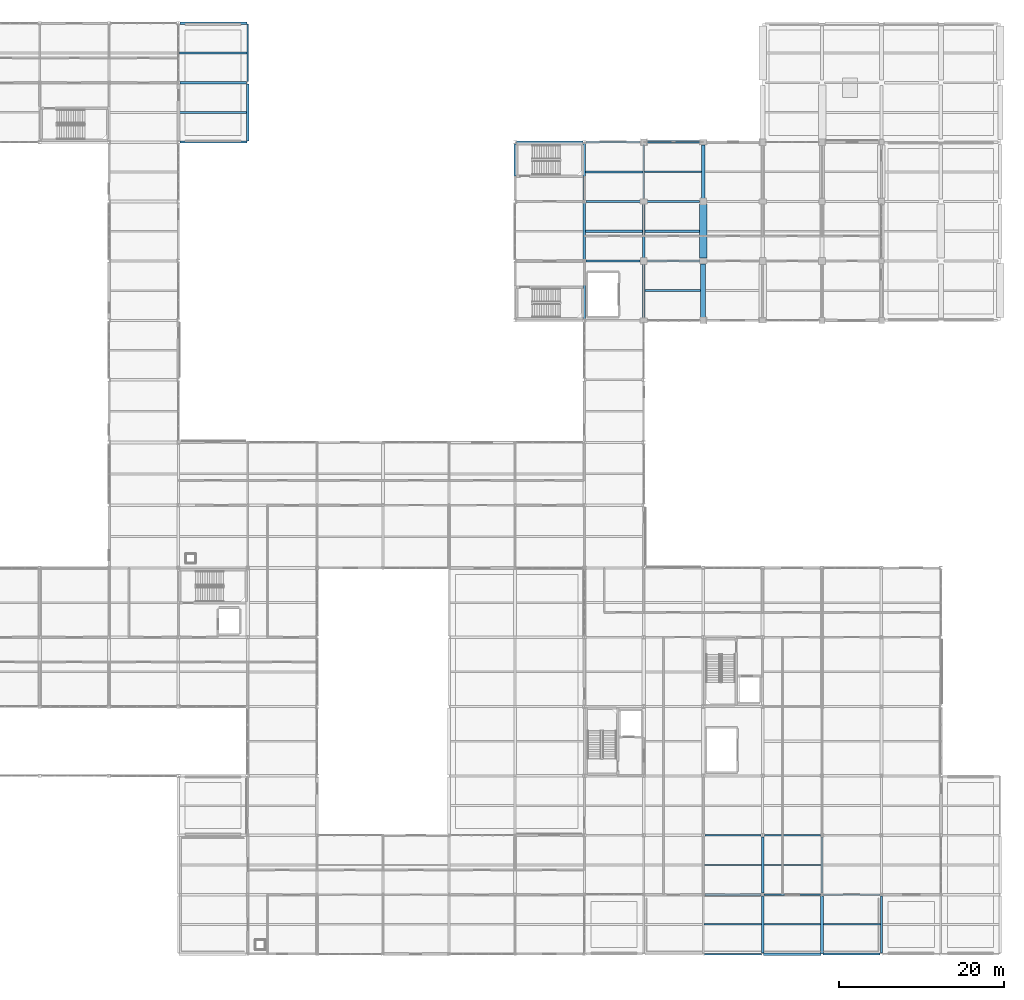
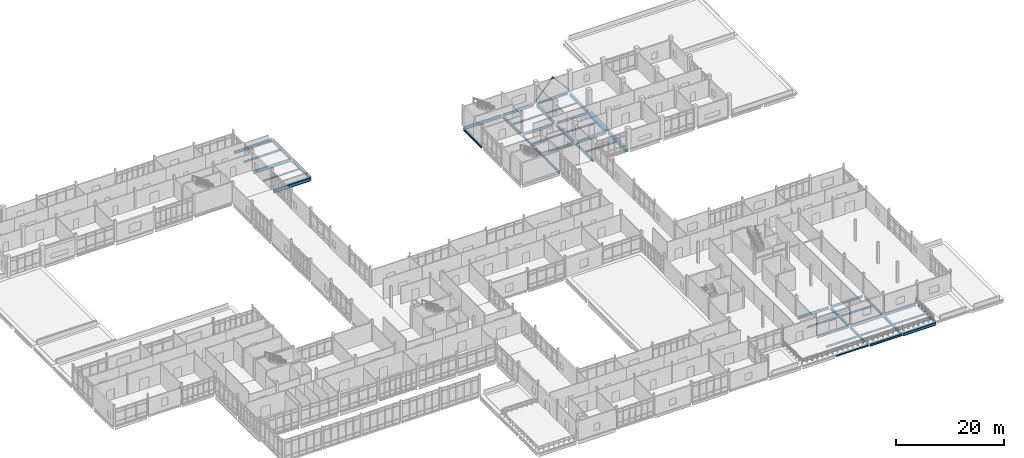
# One storey, part 100 of 186: 47 beams, 2 members.
"""IFC4 building model written with IfcOpenShell, lengths in metres."""

from ifc_helpers import new_model, si_unit, direction, frame, origin, origin_2d, place, context, subcontext, project, spatial, rectangle, hollow_rectangle, i_section, extrude, material, material_profile, profile_set, type_object, element, save


model = new_model("IFC4")

# Units and contexts
model_context = context("Model", 3, precision=1e-05, world=origin(), true_north=direction((0.0, 1.0)))
body_context = subcontext(model_context, "Body", "Model", "MODEL_VIEW")
ifc_project = project(units=[si_unit("LENGTHUNIT", "METRE"), si_unit("AREAUNIT", "SQUARE_METRE"), si_unit("VOLUMEUNIT", "CUBIC_METRE"), si_unit("PLANEANGLEUNIT", "RADIAN"), si_unit("MASSUNIT", "GRAM", prefix="KILO")], contexts=[model_context])

# Site, building, storey
site_placement = place(None, origin())
site = spatial("IfcSite", under=ifc_project, at=site_placement, CompositionType="ELEMENT")
building_placement = place(site_placement, origin())
building = spatial("IfcBuilding", under=site, at=building_placement, Name="Calvrana Isthmian Art Gallery", CompositionType="ELEMENT")
storey_placement = place(building_placement, frame((0.0, 0.0, 5.39990234375)))
storey = spatial("IfcBuildingStorey", under=building, at=storey_placement, Name="L01", CompositionType="ELEMENT", Elevation=5.39990234375)

# Beams
ifc_material_1 = material(Name="Steel ASTM A992 Gr 50", Category="steel")
ifc_material_profile_1 = material_profile(ifc_material_1, i_section(OverallWidth=0.279052734375, OverallDepth=0.4619140625, WebThickness=0.0107421875, FlangeThickness=0.017333984375, FilletRadius=0.02001953125, at=origin_2d()), Name="W18X76")
ifc_profile_set_1 = profile_set([ifc_material_profile_1], Name="Steel ASTM A992 Gr 50")
beam_type_1 = type_object("IfcBeamType", Name="BM-G-W18X76", PredefinedType="BEAM", material=ifc_profile_set_1)
beam_1_placement = place(storey_placement, frame((134.527099609375, 0.0, -0.475830078125), z_axis=(1.0, 0.0, 0.0), x_axis=(0.0, 1.0, 0.0)))
element("IfcBeam", 1, at=beam_1_placement, inside=storey, type_object=beam_type_1, Name="Girder X L01 18-19/A", PredefinedType="BEAM", context=body_context, shape_type="SweptSolid", body=[
    extrude(i_section(OverallWidth=0.279052734375, OverallDepth=0.4619140625, WebThickness=0.0107421875, FlangeThickness=0.017333984375, FilletRadius=0.02001953125, at=origin_2d()), origin(), (0.0, 0.0, 1.0), 6.97119140625),
])
beam_2_placement = place(storey_placement, frame((127.386474609375, 7.199951171875, -0.475830078125), z_axis=(1.0, 0.0, 0.0), x_axis=(0.0, 1.0, 0.0)))
element("IfcBeam", 2, at=beam_2_placement, inside=storey, type_object=beam_type_1, Name="Girder X L01 17-18/B", PredefinedType="BEAM", context=body_context, shape_type="SweptSolid", body=[
    extrude(i_section(OverallWidth=0.279052734375, OverallDepth=0.4619140625, WebThickness=0.0107421875, FlangeThickness=0.017333984375, FilletRadius=0.02001953125, at=origin_2d()), origin(), (0.0, 0.0, 1.0), 6.828125),
])
beam_3_placement = place(storey_placement, frame((112.998046875, 84.0, -0.535888671875), z_axis=(1.0, 0.0, 0.0), x_axis=(0.0, 1.0, 0.0)))
element("IfcBeam", 3, at=beam_3_placement, inside=storey, type_object=beam_type_1, Name="Girder X L01 15-16/L", PredefinedType="BEAM", context=body_context, shape_type="SweptSolid", body=[
    extrude(i_section(OverallWidth=0.279052734375, OverallDepth=0.4619140625, WebThickness=0.0107421875, FlangeThickness=0.017333984375, FilletRadius=0.02001953125, at=origin_2d()), origin(), (0.0, 0.0, 1.0), 6.552001953125),
])
beam_4_placement = place(storey_placement, frame((104.39990234375, 91.386474609375, -0.535888671875), z_axis=(0.0, 1.0, 0.0), x_axis=(-1.0, 0.0, 0.0)))
element("IfcBeam", 4, at=beam_4_placement, inside=storey, type_object=beam_type_1, Name="Girder Y L01 14/M-N", PredefinedType="BEAM", context=body_context, shape_type="SweptSolid", body=[
    extrude(i_section(OverallWidth=0.279052734375, OverallDepth=0.4619140625, WebThickness=0.0107421875, FlangeThickness=0.017333984375, FilletRadius=0.02001953125, at=origin_2d()), origin(), (0.0, 0.0, 1.0), 6.825439453125),
])
beam_5_placement = place(storey_placement, frame((112.800048828125, 84.1904296875, -0.535888671875), z_axis=(0.0, 1.0, 0.0), x_axis=(-1.0, 0.0, 0.0)))
element("IfcBeam", 5, at=beam_5_placement, inside=storey, type_object=beam_type_1, Name="Girder Y L01 15/L-M", PredefinedType="BEAM", context=body_context, shape_type="SweptSolid", body=[
    extrude(i_section(OverallWidth=0.279052734375, OverallDepth=0.4619140625, WebThickness=0.0107421875, FlangeThickness=0.017333984375, FilletRadius=0.02001953125, at=origin_2d()), origin(), (0.0, 0.0, 1.0), 6.816650390625),
])
beam_6_placement = place(storey_placement, frame((120.0, 77.175048828125, -0.535888671875), z_axis=(0.0, 1.0, 0.0), x_axis=(-1.0, 0.0, 0.0)))
element("IfcBeam", 6, at=beam_6_placement, inside=storey, type_object=beam_type_1, Name="Girder Y L01 16/K-L", PredefinedType="BEAM", context=body_context, shape_type="SweptSolid", body=[
    extrude(i_section(OverallWidth=0.279052734375, OverallDepth=0.4619140625, WebThickness=0.0107421875, FlangeThickness=0.017333984375, FilletRadius=0.02001953125, at=origin_2d()), origin(), (0.0, 0.0, 1.0), 6.52490234375),
])
beam_7_placement = place(storey_placement, frame((134.39990234375, 0.126953125, -0.475830078125), z_axis=(0.0, 1.0, 0.0), x_axis=(-1.0, 0.0, 0.0)))
element("IfcBeam", 7, at=beam_7_placement, inside=storey, type_object=beam_type_1, Name="Girder Y L01 18/A-B", PredefinedType="BEAM", context=body_context, shape_type="SweptSolid", body=[
    extrude(i_section(OverallWidth=0.279052734375, OverallDepth=0.4619140625, WebThickness=0.0107421875, FlangeThickness=0.017333984375, FilletRadius=0.02001953125, at=origin_2d()), origin(), (0.0, 0.0, 1.0), 6.8916015625),
])
ifc_material_profile_2 = material_profile(ifc_material_1, i_section(OverallWidth=0.208984375, OverallDepth=0.532958984375, WebThickness=0.01025390625, FlangeThickness=0.015625, FilletRadius=0.02099609375, at=origin_2d()), Name="W21X62")
ifc_profile_set_2 = profile_set([ifc_material_profile_2], Name="Steel ASTM A992 Gr 50")
beam_type_2 = type_object("IfcBeamType", Name="BM-G-W21X62", PredefinedType="BEAM", material=ifc_profile_set_2)
beam_8_placement = place(storey_placement, frame((112.800048828125, 76.988037109375, -0.5712890625), z_axis=(0.0, 1.0, 0.0), x_axis=(-1.0, 0.0, 0.0)))
element("IfcBeam", 8, at=beam_8_placement, inside=storey, type_object=beam_type_2, Name="Girder Y L01 15/K-L", PredefinedType="BEAM", context=body_context, shape_type="SweptSolid", body=[
    extrude(i_section(OverallWidth=0.208984375, OverallDepth=0.532958984375, WebThickness=0.01025390625, FlangeThickness=0.015625, FilletRadius=0.02099609375, at=origin_2d()), origin(), (0.0, 0.0, 1.0), 6.821533203125),
])
ifc_material_profile_3 = material_profile(ifc_material_1, i_section(OverallWidth=0.214111328125, OverallDepth=0.549072265625, WebThickness=0.0146484375, FlangeThickness=0.023681640625, FilletRadius=0.02099609375, at=origin_2d()), Name="W21X93")
ifc_profile_set_3 = profile_set([ifc_material_profile_3], Name="Steel ASTM A992 Gr 50")
beam_type_3 = type_object("IfcBeamType", Name="BM-G-W21X93", PredefinedType="BEAM", material=ifc_profile_set_3)
beam_9_placement = place(storey_placement, frame((141.783935546875, 7.199951171875, -0.519287109375), z_axis=(1.0, 0.0, 0.0), x_axis=(0.0, 1.0, 0.0)))
element("IfcBeam", 9, at=beam_9_placement, inside=storey, type_object=beam_type_3, Name="Girder X L01 19-20/B", PredefinedType="BEAM", context=body_context, shape_type="SweptSolid", body=[
    extrude(i_section(OverallWidth=0.214111328125, OverallDepth=0.549072265625, WebThickness=0.0146484375, FlangeThickness=0.023681640625, FilletRadius=0.02099609375, at=origin_2d()), origin(), (0.0, 0.0, 1.0), 6.82958984375),
])
beam_10_placement = place(storey_placement, frame((134.597900390625, 14.39990234375, -0.519287109375), z_axis=(1.0, 0.0, 0.0), x_axis=(0.0, 1.0, 0.0)))
element("IfcBeam", 10, at=beam_10_placement, inside=storey, type_object=beam_type_3, Name="Girder X L01 18-19/C", PredefinedType="BEAM", context=body_context, shape_type="SweptSolid", body=[
    extrude(i_section(OverallWidth=0.214111328125, OverallDepth=0.549072265625, WebThickness=0.0146484375, FlangeThickness=0.023681640625, FilletRadius=0.02099609375, at=origin_2d()), origin(), (0.0, 0.0, 1.0), 6.80517578125),
])
beam_11_placement = place(storey_placement, frame((120.375, 91.199951171875, -0.579345703125), z_axis=(1.0, 0.0, 0.0), x_axis=(0.0, 1.0, 0.0)))
element("IfcBeam", 11, at=beam_11_placement, inside=storey, type_object=beam_type_3, Name="Girder X L01 16-17/M", PredefinedType="BEAM", context=body_context, shape_type="SweptSolid", body=[
    extrude(i_section(OverallWidth=0.214111328125, OverallDepth=0.549072265625, WebThickness=0.0146484375, FlangeThickness=0.023681640625, FilletRadius=0.02099609375, at=origin_2d()), origin(), (0.0, 0.0, 1.0), 6.375),
])
beam_12_placement = place(storey_placement, frame((112.986572265625, 98.39990234375, -0.579345703125), z_axis=(1.0, 0.0, 0.0), x_axis=(0.0, 1.0, 0.0)))
element("IfcBeam", 12, at=beam_12_placement, inside=storey, type_object=beam_type_3, Name="Girder X L01 15-16/N", PredefinedType="BEAM", context=body_context, shape_type="SweptSolid", body=[
    extrude(i_section(OverallWidth=0.214111328125, OverallDepth=0.549072265625, WebThickness=0.0146484375, FlangeThickness=0.023681640625, FilletRadius=0.02099609375, at=origin_2d()), origin(), (0.0, 0.0, 1.0), 6.5634765625),
])
ifc_material_profile_4 = material_profile(ifc_material_1, i_section(OverallWidth=0.324951171875, OverallDepth=0.612060546875, WebThickness=0.0126953125, FlangeThickness=0.01904296875, FilletRadius=0.02197265625, at=origin_2d()), Name="W24X104")
ifc_profile_set_4 = profile_set([ifc_material_profile_4], Name="Steel ASTM A992 Gr 50")
beam_type_4 = type_object("IfcBeamType", Name="BM-G-W24X104", PredefinedType="BEAM", material=ifc_profile_set_4)
beam_13_placement = place(storey_placement, frame((72.0, 98.552490234375, -0.55078125), z_axis=(0.0, 1.0, 0.0), x_axis=(-1.0, 0.0, 0.0)))
element("IfcBeam", 13, at=beam_13_placement, inside=storey, type_object=beam_type_4, Name="Girder Y L01 10/N-O", PredefinedType="BEAM", context=body_context, shape_type="SweptSolid", body=[
    extrude(i_section(OverallWidth=0.324951171875, OverallDepth=0.612060546875, WebThickness=0.0126953125, FlangeThickness=0.01904296875, FilletRadius=0.02197265625, at=origin_2d()), origin(), (0.0, 0.0, 1.0), 6.89501953125),
])
beam_14_placement = place(storey_placement, frame((112.800048828125, 91.39306640625, -0.61083984375), z_axis=(0.0, 1.0, 0.0), x_axis=(-1.0, 0.0, 0.0)))
element("IfcBeam", 14, at=beam_14_placement, inside=storey, type_object=beam_type_4, Name="Girder Y L01 15/M-N", PredefinedType="BEAM", context=body_context, shape_type="SweptSolid", body=[
    extrude(i_section(OverallWidth=0.324951171875, OverallDepth=0.612060546875, WebThickness=0.0126953125, FlangeThickness=0.01904296875, FilletRadius=0.02197265625, at=origin_2d()), origin(), (0.0, 0.0, 1.0), 6.8203125),
])
beam_15_placement = place(storey_placement, frame((120.0, 84.300048828125, -0.61083984375), z_axis=(0.0, 1.0, 0.0), x_axis=(-1.0, 0.0, 0.0)))
element("IfcBeam", 15, at=beam_15_placement, inside=storey, type_object=beam_type_4, Name="Girder Y L01 16/L-M", PredefinedType="BEAM", context=body_context, shape_type="SweptSolid", body=[
    extrude(i_section(OverallWidth=0.324951171875, OverallDepth=0.612060546875, WebThickness=0.0126953125, FlangeThickness=0.01904296875, FilletRadius=0.02197265625, at=origin_2d()), origin(), (0.0, 0.0, 1.0), 6.52490234375),
])
beam_16_placement = place(storey_placement, frame((134.39990234375, 7.381591796875, -0.55078125), z_axis=(0.0, 1.0, 0.0), x_axis=(-1.0, 0.0, 0.0)))
element("IfcBeam", 16, at=beam_16_placement, inside=storey, type_object=beam_type_4, Name="Girder Y L01 18/B-C", PredefinedType="BEAM", context=body_context, shape_type="SweptSolid", body=[
    extrude(i_section(OverallWidth=0.324951171875, OverallDepth=0.612060546875, WebThickness=0.0126953125, FlangeThickness=0.01904296875, FilletRadius=0.02197265625, at=origin_2d()), origin(), (0.0, 0.0, 1.0), 6.827880859375),
])
beam_17_placement = place(storey_placement, frame((141.60009765625, 0.1015625, -0.55078125), z_axis=(0.0, 1.0, 0.0), x_axis=(-1.0, 0.0, 0.0)))
element("IfcBeam", 17, at=beam_17_placement, inside=storey, type_object=beam_type_4, Name="Girder Y L01 19/A-B", PredefinedType="BEAM", context=body_context, shape_type="SweptSolid", body=[
    extrude(i_section(OverallWidth=0.324951171875, OverallDepth=0.612060546875, WebThickness=0.0126953125, FlangeThickness=0.01904296875, FilletRadius=0.02197265625, at=origin_2d()), origin(), (0.0, 0.0, 1.0), 6.92041015625),
])
ifc_material_profile_5 = material_profile(ifc_material_1, i_section(OverallWidth=0.327880859375, OverallDepth=0.6220703125, WebThickness=0.015380859375, FlangeThickness=0.0244140625, FilletRadius=0.02197265625, at=origin_2d()), Name="W24X131")
ifc_profile_set_5 = profile_set([ifc_material_profile_5], Name="Steel ASTM A992 Gr 50")
beam_type_5 = type_object("IfcBeamType", Name="BM-G-W24X131", PredefinedType="BEAM", material=ifc_profile_set_5)
beam_18_placement = place(storey_placement, frame((63.783935546875, 112.800048828125, -0.555908203125), z_axis=(1.0, 0.0, 0.0), x_axis=(0.0, 1.0, 0.0)))
element("IfcBeam", 18, at=beam_18_placement, inside=storey, type_object=beam_type_5, Name="Girder X L01 09-10/P", PredefinedType="BEAM", context=body_context, shape_type="SweptSolid", body=[
    extrude(i_section(OverallWidth=0.327880859375, OverallDepth=0.6220703125, WebThickness=0.015380859375, FlangeThickness=0.0244140625, FilletRadius=0.02197265625, at=origin_2d()), origin(), (0.0, 0.0, 1.0), 8.114501953125),
])
ifc_material_profile_6 = material_profile(ifc_material_1, i_section(OverallWidth=0.22802734375, OverallDepth=0.60693359375, WebThickness=0.01123046875, FlangeThickness=0.017333984375, FilletRadius=0.02197265625, at=origin_2d()), Name="W24X76")
ifc_profile_set_6 = profile_set([ifc_material_profile_6], Name="Steel ASTM A992 Gr 50")
beam_type_6 = type_object("IfcBeamType", Name="BM-G-W24X76", PredefinedType="BEAM", material=ifc_profile_set_6)
beam_19_placement = place(storey_placement, frame((141.70166015625, 0.0, -0.54833984375), z_axis=(1.0, 0.0, 0.0), x_axis=(0.0, 1.0, 0.0)))
element("IfcBeam", 19, at=beam_19_placement, inside=storey, type_object=beam_type_6, Name="Girder X L01 19-20/A", PredefinedType="BEAM", context=body_context, shape_type="SweptSolid", body=[
    extrude(i_section(OverallWidth=0.22802734375, OverallDepth=0.60693359375, WebThickness=0.01123046875, FlangeThickness=0.017333984375, FilletRadius=0.02197265625, at=origin_2d()), origin(), (0.0, 0.0, 1.0), 6.946044921875),
])
beam_20_placement = place(storey_placement, frame((134.58544921875, 7.199951171875, -0.54833984375), z_axis=(1.0, 0.0, 0.0), x_axis=(0.0, 1.0, 0.0)))
element("IfcBeam", 20, at=beam_20_placement, inside=storey, type_object=beam_type_6, Name="Girder X L01 18-19/B", PredefinedType="BEAM", context=body_context, shape_type="SweptSolid", body=[
    extrude(i_section(OverallWidth=0.22802734375, OverallDepth=0.60693359375, WebThickness=0.01123046875, FlangeThickness=0.017333984375, FilletRadius=0.02197265625, at=origin_2d()), origin(), (0.0, 0.0, 1.0), 6.83056640625),
])
beam_21_placement = place(storey_placement, frame((127.3994140625, 14.39990234375, -0.54833984375), z_axis=(1.0, 0.0, 0.0), x_axis=(0.0, 1.0, 0.0)))
element("IfcBeam", 21, at=beam_21_placement, inside=storey, type_object=beam_type_6, Name="Girder X L01 17-18/C", PredefinedType="BEAM", context=body_context, shape_type="SweptSolid", body=[
    extrude(i_section(OverallWidth=0.22802734375, OverallDepth=0.60693359375, WebThickness=0.01123046875, FlangeThickness=0.017333984375, FilletRadius=0.02197265625, at=origin_2d()), origin(), (0.0, 0.0, 1.0), 6.802490234375),
])
beam_22_placement = place(storey_placement, frame((120.449951171875, 84.0, -0.6083984375), z_axis=(1.0, 0.0, 0.0), x_axis=(0.0, 1.0, 0.0)))
element("IfcBeam", 22, at=beam_22_placement, inside=storey, type_object=beam_type_6, Name="Girder X L01 16-17/L", PredefinedType="BEAM", context=body_context, shape_type="SweptSolid", body=[
    extrude(i_section(OverallWidth=0.22802734375, OverallDepth=0.60693359375, WebThickness=0.01123046875, FlangeThickness=0.017333984375, FilletRadius=0.02197265625, at=origin_2d()), origin(), (0.0, 0.0, 1.0), 6.375),
])
beam_23_placement = place(storey_placement, frame((112.99951171875, 91.199951171875, -0.6083984375), z_axis=(1.0, 0.0, 0.0), x_axis=(0.0, 1.0, 0.0)))
element("IfcBeam", 23, at=beam_23_placement, inside=storey, type_object=beam_type_6, Name="Girder X L01 15-16/M", PredefinedType="BEAM", context=body_context, shape_type="SweptSolid", body=[
    extrude(i_section(OverallWidth=0.22802734375, OverallDepth=0.60693359375, WebThickness=0.01123046875, FlangeThickness=0.017333984375, FilletRadius=0.02197265625, at=origin_2d()), origin(), (0.0, 0.0, 1.0), 6.62548828125),
])
beam_24_placement = place(storey_placement, frame((72.0, 105.75244140625, -0.54833984375), z_axis=(0.0, 1.0, 0.0), x_axis=(-1.0, 0.0, 0.0)))
element("IfcBeam", 24, at=beam_24_placement, inside=storey, type_object=beam_type_6, Name="Girder Y L01 10/O-P", PredefinedType="BEAM", context=body_context, shape_type="SweptSolid", body=[
    extrude(i_section(OverallWidth=0.22802734375, OverallDepth=0.60693359375, WebThickness=0.01123046875, FlangeThickness=0.017333984375, FilletRadius=0.02197265625, at=origin_2d()), origin(), (0.0, 0.0, 1.0), 6.946044921875),
])
beam_25_placement = place(storey_placement, frame((120.0, 91.574951171875, -0.6083984375), z_axis=(0.0, 1.0, 0.0), x_axis=(-1.0, 0.0, 0.0)))
element("IfcBeam", 25, at=beam_25_placement, inside=storey, type_object=beam_type_6, Name="Girder Y L01 16/M-N", PredefinedType="BEAM", context=body_context, shape_type="SweptSolid", body=[
    extrude(i_section(OverallWidth=0.22802734375, OverallDepth=0.60693359375, WebThickness=0.01123046875, FlangeThickness=0.017333984375, FilletRadius=0.02197265625, at=origin_2d()), origin(), (0.0, 0.0, 1.0), 6.525146484375),
])
beam_26_placement = place(storey_placement, frame((141.60009765625, 7.3779296875, -0.54833984375), z_axis=(0.0, 1.0, 0.0), x_axis=(-1.0, 0.0, 0.0)))
element("IfcBeam", 26, at=beam_26_placement, inside=storey, type_object=beam_type_6, Name="Girder Y L01 19/B-C", PredefinedType="BEAM", context=body_context, shape_type="SweptSolid", body=[
    extrude(i_section(OverallWidth=0.22802734375, OverallDepth=0.60693359375, WebThickness=0.01123046875, FlangeThickness=0.017333984375, FilletRadius=0.02197265625, at=origin_2d()), origin(), (0.0, 0.0, 1.0), 6.833984375),
])
beam_27_placement = place(storey_placement, frame((148.800048828125, 0.15234375, -0.54833984375), z_axis=(0.0, 1.0, 0.0), x_axis=(-1.0, 0.0, 0.0)))
element("IfcBeam", 27, at=beam_27_placement, inside=storey, type_object=beam_type_6, Name="Girder Y L01 20/A-B", PredefinedType="BEAM", context=body_context, shape_type="SweptSolid", body=[
    extrude(i_section(OverallWidth=0.22802734375, OverallDepth=0.60693359375, WebThickness=0.01123046875, FlangeThickness=0.017333984375, FilletRadius=0.02197265625, at=origin_2d()), origin(), (0.0, 0.0, 1.0), 6.861083984375),
])
ifc_material_profile_7 = material_profile(ifc_material_1, i_section(OverallWidth=0.257080078125, OverallDepth=0.693115234375, WebThickness=0.014404296875, FlangeThickness=0.023681640625, FilletRadius=0.02392578125, at=origin_2d()), Name="W27X114")
ifc_profile_set_7 = profile_set([ifc_material_profile_7], Name="Steel ASTM A992 Gr 50")
beam_type_7 = type_object("IfcBeamType", Name="BM-G-W27X114", PredefinedType="BEAM", material=ifc_profile_set_7)
beam_28_placement = place(storey_placement, frame((104.596923828125, 98.39990234375, -0.6513671875), z_axis=(1.0, 0.0, 0.0), x_axis=(0.0, 1.0, 0.0)))
element("IfcBeam", 28, at=beam_28_placement, inside=storey, type_object=beam_type_7, Name="Girder X L01 14-15/N", PredefinedType="BEAM", context=body_context, shape_type="SweptSolid", body=[
    extrude(i_section(OverallWidth=0.257080078125, OverallDepth=0.693115234375, WebThickness=0.014404296875, FlangeThickness=0.023681640625, FilletRadius=0.02392578125, at=origin_2d()), origin(), (0.0, 0.0, 1.0), 8.0166015625),
])
beam_29_placement = place(storey_placement, frame((63.78662109375, 105.60009765625, -0.59130859375), z_axis=(1.0, 0.0, 0.0), x_axis=(0.0, 1.0, 0.0)))
element("IfcBeam", 29, at=beam_29_placement, inside=storey, type_object=beam_type_7, Name="Girder X L01 09-10/O", PredefinedType="BEAM", context=body_context, shape_type="SweptSolid", body=[
    extrude(i_section(OverallWidth=0.257080078125, OverallDepth=0.693115234375, WebThickness=0.014404296875, FlangeThickness=0.023681640625, FilletRadius=0.02392578125, at=origin_2d()), origin(), (0.0, 0.0, 1.0), 8.06103515625),
])
ifc_material_profile_8 = material_profile(ifc_material_1, i_section(OverallWidth=0.26708984375, OverallDepth=0.761962890625, WebThickness=0.014404296875, FlangeThickness=0.021484375, FilletRadius=0.02490234375, at=origin_2d()), Name="W30X116")
ifc_profile_set_8 = profile_set([ifc_material_profile_8], Name="Steel ASTM A992 Gr 50")
beam_type_8 = type_object("IfcBeamType", Name="BM-G-W30X116", PredefinedType="BEAM", material=ifc_profile_set_8)
beam_30_placement = place(storey_placement, frame((63.78662109375, 98.39990234375, -0.6259765625), z_axis=(1.0, 0.0, 0.0), x_axis=(0.0, 1.0, 0.0)))
element("IfcBeam", 30, at=beam_30_placement, inside=storey, type_object=beam_type_8, Name="Girder X L01 09-10/N", PredefinedType="BEAM", context=body_context, shape_type="SweptSolid", body=[
    extrude(i_section(OverallWidth=0.26708984375, OverallDepth=0.761962890625, WebThickness=0.014404296875, FlangeThickness=0.021484375, FilletRadius=0.02490234375, at=origin_2d()), origin(), (0.0, 0.0, 1.0), 8.11181640625),
])
ifc_material_profile_9 = material_profile(ifc_material_1, i_section(OverallWidth=0.202880859375, OverallDepth=0.302001953125, WebThickness=0.007568359375, FlangeThickness=0.01318359375, FilletRadius=0.01611328125, at=origin_2d()), Name="W12X40")
ifc_profile_set_9 = profile_set([ifc_material_profile_9], Name="Steel ASTM A992 Gr 50")
beam_type_9 = type_object("IfcBeamType", Name="BM-J-W12X40", PredefinedType="JOIST", material=ifc_profile_set_9)
beam_31_placement = place(storey_placement, frame((63.739501953125, 102.0, -0.39599609375), z_axis=(1.0, 0.0, 0.0), x_axis=(0.0, 1.0, 0.0)))
element("IfcBeam", 31, at=beam_31_placement, inside=storey, type_object=beam_type_9, Name="Composite joist L01 bay 08-13", PredefinedType="JOIST", context=body_context, shape_type="SweptSolid", body=[
    extrude(i_section(OverallWidth=0.202880859375, OverallDepth=0.302001953125, WebThickness=0.007568359375, FlangeThickness=0.01318359375, FilletRadius=0.01611328125, at=origin_2d()), origin(), (0.0, 0.0, 1.0), 8.097900390625),
])
beam_32_placement = place(storey_placement, frame((120.114013671875, 94.800048828125, -0.455810546875), z_axis=(1.0, 0.0, 0.0), x_axis=(0.0, 1.0, 0.0)))
element("IfcBeam", 32, at=beam_32_placement, inside=storey, type_object=beam_type_9, Name="Composite joist L01 bay 15-12", PredefinedType="JOIST", context=body_context, shape_type="SweptSolid", body=[
    extrude(i_section(OverallWidth=0.202880859375, OverallDepth=0.302001953125, WebThickness=0.007568359375, FlangeThickness=0.01318359375, FilletRadius=0.01611328125, at=origin_2d()), origin(), (0.0, 0.0, 1.0), 6.885986328125),
])
ifc_material_profile_10 = material_profile(ifc_material_1, i_section(OverallWidth=0.25390625, OverallDepth=0.306884765625, WebThickness=0.0087890625, FlangeThickness=0.0146484375, FilletRadius=0.01611328125, at=origin_2d()), Name="W12X53")
ifc_profile_set_10 = profile_set([ifc_material_profile_10], Name="Steel ASTM A992 Gr 50")
beam_type_10 = type_object("IfcBeamType", Name="BM-J-W12X53", PredefinedType="JOIST", material=ifc_profile_set_10)
beam_33_placement = place(storey_placement, frame((112.96240234375, 94.800048828125, -0.45849609375), z_axis=(1.0, 0.0, 0.0), x_axis=(0.0, 1.0, 0.0)))
element("IfcBeam", 33, at=beam_33_placement, inside=storey, type_object=beam_type_10, Name="Composite joist L01 bay 14-12", PredefinedType="JOIST", context=body_context, shape_type="SweptSolid", body=[
    extrude(i_section(OverallWidth=0.25390625, OverallDepth=0.306884765625, WebThickness=0.0087890625, FlangeThickness=0.0146484375, FilletRadius=0.01611328125, at=origin_2d()), origin(), (0.0, 0.0, 1.0), 6.923583984375),
])
beam_34_placement = place(storey_placement, frame((120.16259765625, 87.60009765625, -0.45849609375), z_axis=(1.0, 0.0, 0.0), x_axis=(0.0, 1.0, 0.0)))
element("IfcBeam", 34, at=beam_34_placement, inside=storey, type_object=beam_type_10, Name="Composite joist L01 bay 15-11", PredefinedType="JOIST", context=body_context, shape_type="SweptSolid", body=[
    extrude(i_section(OverallWidth=0.25390625, OverallDepth=0.306884765625, WebThickness=0.0087890625, FlangeThickness=0.0146484375, FilletRadius=0.01611328125, at=origin_2d()), origin(), (0.0, 0.0, 1.0), 6.58740234375),
])
ifc_material_profile_11 = material_profile(ifc_material_1, i_section(OverallWidth=0.25390625, OverallDepth=0.35302734375, WebThickness=0.009521484375, FlangeThickness=0.016357421875, FilletRadius=0.01806640625, at=origin_2d()), Name="W14X61")
ifc_profile_set_11 = profile_set([ifc_material_profile_11], Name="Steel ASTM A992 Gr 50")
beam_type_11 = type_object("IfcBeamType", Name="BM-J-W14X61", PredefinedType="JOIST", material=ifc_profile_set_11)
beam_35_placement = place(storey_placement, frame((112.939453125, 87.60009765625, -0.4814453125), z_axis=(1.0, 0.0, 0.0), x_axis=(0.0, 1.0, 0.0)))
element("IfcBeam", 35, at=beam_35_placement, inside=storey, type_object=beam_type_11, Name="Composite joist L01 bay 14-11", PredefinedType="JOIST", context=body_context, shape_type="SweptSolid", body=[
    extrude(i_section(OverallWidth=0.25390625, OverallDepth=0.35302734375, WebThickness=0.009521484375, FlangeThickness=0.016357421875, FilletRadius=0.01806640625, at=origin_2d()), origin(), (0.0, 0.0, 1.0), 6.89794921875),
])
beam_36_placement = place(storey_placement, frame((120.139404296875, 80.39990234375, -0.4814453125), z_axis=(1.0, 0.0, 0.0), x_axis=(0.0, 1.0, 0.0)))
element("IfcBeam", 36, at=beam_36_placement, inside=storey, type_object=beam_type_11, Name="Composite joist L01 bay 15-10", PredefinedType="JOIST", context=body_context, shape_type="SweptSolid", body=[
    extrude(i_section(OverallWidth=0.25390625, OverallDepth=0.35302734375, WebThickness=0.009521484375, FlangeThickness=0.016357421875, FilletRadius=0.01806640625, at=origin_2d()), origin(), (0.0, 0.0, 1.0), 6.760498046875),
])
ifc_material_profile_12 = material_profile(ifc_material_1, i_section(OverallWidth=0.177978515625, OverallDepth=0.404052734375, WebThickness=0.007568359375, FlangeThickness=0.010986328125, FilletRadius=0.01806640625, at=origin_2d()), Name="W16X36")
ifc_profile_set_12 = profile_set([ifc_material_profile_12], Name="Steel ASTM A992 Gr 50")
beam_type_12 = type_object("IfcBeamType", Name="BM-J-W16X36", PredefinedType="JOIST", material=ifc_profile_set_12)
for number, where, z_axis, x_axis, name in (
    (37, (134.5625, 10.800048828125, -0.447021484375), (1.0, 0.0, 0.0), (0.0, 1.0, 0.0), "Composite joist L01 bay 17-01"),
    (38, (141.762451171875, 3.60009765625, -0.447021484375), (1.0, 0.0, 0.0), (0.0, 1.0, 0.0), "Composite joist L01 bay 18-00"),
):
    element("IfcBeam", number, at=place(storey_placement, frame(where, z_axis=z_axis, x_axis=x_axis)), inside=storey, type_object=beam_type_12, Name=name, PredefinedType="JOIST", context=body_context, shape_type="SweptSolid", body=[
        extrude(i_section(OverallWidth=0.177978515625, OverallDepth=0.404052734375, WebThickness=0.007568359375, FlangeThickness=0.010986328125, FilletRadius=0.01806640625, at=origin_2d()), origin(), (0.0, 0.0, 1.0), 6.923583984375),
    ])
ifc_material_profile_13 = material_profile(ifc_material_1, i_section(OverallWidth=0.179931640625, OverallDepth=0.4140625, WebThickness=0.009765625, FlangeThickness=0.01611328125, FilletRadius=0.01806640625, at=origin_2d()), Name="W16X50")
ifc_profile_set_13 = profile_set([ifc_material_profile_13], Name="Steel ASTM A992 Gr 50")
beam_type_13 = type_object("IfcBeamType", Name="BM-J-W16X50", PredefinedType="JOIST", material=ifc_profile_set_13)
for number, where, z_axis, x_axis, name in (
    (39, (127.339599609375, 10.800048828125, -0.451904296875), (1.0, 0.0, 0.0), (0.0, 1.0, 0.0), "Composite joist L01 bay 16-01"),
    (40, (134.53955078125, 3.60009765625, -0.451904296875), (1.0, 0.0, 0.0), (0.0, 1.0, 0.0), "Composite joist L01 bay 17-00"),
):
    element("IfcBeam", number, at=place(storey_placement, frame(where, z_axis=z_axis, x_axis=x_axis)), inside=storey, type_object=beam_type_13, Name=name, PredefinedType="JOIST", context=body_context, shape_type="SweptSolid", body=[
        extrude(i_section(OverallWidth=0.179931640625, OverallDepth=0.4140625, WebThickness=0.009765625, FlangeThickness=0.01611328125, FilletRadius=0.01806640625, at=origin_2d()), origin(), (0.0, 0.0, 1.0), 6.89794921875),
    ])
ifc_material_profile_14 = material_profile(ifc_material_1, i_section(OverallWidth=0.19091796875, OverallDepth=0.45703125, WebThickness=0.009033203125, FlangeThickness=0.014404296875, FilletRadius=0.02001953125, at=origin_2d()), Name="W18X50")
ifc_profile_set_14 = profile_set([ifc_material_profile_14], Name="Steel ASTM A992 Gr 50")
beam_type_14 = type_object("IfcBeamType", Name="BM-J-W18X50", PredefinedType="JOIST", material=ifc_profile_set_14)
beam_37_placement = place(storey_placement, frame((63.762451171875, 109.199951171875, -0.473388671875), z_axis=(1.0, 0.0, 0.0), x_axis=(0.0, 1.0, 0.0)))
element("IfcBeam", 41, at=beam_37_placement, inside=storey, type_object=beam_type_14, Name="Composite joist L01 bay 08-14", PredefinedType="JOIST", context=body_context, shape_type="SweptSolid", body=[
    extrude(i_section(OverallWidth=0.19091796875, OverallDepth=0.45703125, WebThickness=0.009033203125, FlangeThickness=0.014404296875, FilletRadius=0.02001953125, at=origin_2d()), origin(), (0.0, 0.0, 1.0), 8.12353515625),
])
beam_38_placement = place(storey_placement, frame((127.304443359375, 3.60009765625, -0.473388671875), z_axis=(1.0, 0.0, 0.0), x_axis=(0.0, 1.0, 0.0)))
element("IfcBeam", 42, at=beam_38_placement, inside=storey, type_object=beam_type_14, Name="Composite joist L01 bay 16-00", PredefinedType="JOIST", context=body_context, shape_type="SweptSolid", body=[
    extrude(i_section(OverallWidth=0.19091796875, OverallDepth=0.45703125, WebThickness=0.009033203125, FlangeThickness=0.014404296875, FilletRadius=0.02001953125, at=origin_2d()), origin(), (0.0, 0.0, 1.0), 6.9560546875),
])
ifc_material_2 = material(Name="Concrete C40/50", Category="concrete")
ifc_material_profile_15 = material_profile(ifc_material_2, rectangle(XDim=0.39990234375, YDim=0.699951171875, at=origin_2d()), Name="RC400X700")
ifc_profile_set_15 = profile_set([ifc_material_profile_15], Name="Concrete C40/50")
beam_type_15 = type_object("IfcBeamType", Name="BM-RC-400X700", PredefinedType="BEAM", material=ifc_profile_set_15)
beam_39_placement = place(storey_placement, frame((127.199951171875, 91.5, -0.65478515625), z_axis=(0.0, 1.0, 0.0), x_axis=(-1.0, 0.0, 0.0)))
element("IfcBeam", 43, at=beam_39_placement, inside=storey, type_object=beam_type_15, Name="Girder Y L01 17/M-N", PredefinedType="BEAM", context=body_context, shape_type="SweptSolid", body=[
    extrude(rectangle(XDim=0.39990234375, YDim=0.699951171875, at=origin_2d()), origin(), (0.0, 0.0, 1.0), 6.52490234375),
])
ifc_material_profile_16 = material_profile(ifc_material_2, rectangle(XDim=0.60009765625, YDim=0.60009765625, at=origin_2d()), Name="RC600X600")
ifc_profile_set_16 = profile_set([ifc_material_profile_16], Name="Concrete C40/50")
beam_type_16 = type_object("IfcBeamType", Name="BM-RC-600X600", PredefinedType="BEAM", material=ifc_profile_set_16)
beam_40_placement = place(storey_placement, frame((127.199951171875, 77.10009765625, -0.60498046875), z_axis=(0.0, 1.0, 0.0), x_axis=(-1.0, 0.0, 0.0)))
element("IfcBeam", 44, at=beam_40_placement, inside=storey, type_object=beam_type_16, Name="Girder Y L01 17/K-L", PredefinedType="BEAM", context=body_context, shape_type="SweptSolid", body=[
    extrude(rectangle(XDim=0.60009765625, YDim=0.60009765625, at=origin_2d()), origin(), (0.0, 0.0, 1.0), 6.52490234375),
])
ifc_material_profile_17 = material_profile(ifc_material_2, rectangle(XDim=0.89990234375, YDim=0.60009765625, at=origin_2d()), Name="RC900X600")
ifc_profile_set_17 = profile_set([ifc_material_profile_17], Name="Concrete C40/50")
beam_type_17 = type_object("IfcBeamType", Name="BM-RC-900X600", PredefinedType="BEAM", material=ifc_profile_set_17)
beam_41_placement = place(storey_placement, frame((127.199951171875, 84.375, -0.60498046875), z_axis=(0.0, 1.0, 0.0), x_axis=(-1.0, 0.0, 0.0)))
element("IfcBeam", 45, at=beam_41_placement, inside=storey, type_object=beam_type_17, Name="Girder Y L01 17/L-M", PredefinedType="BEAM", context=body_context, shape_type="SweptSolid", body=[
    extrude(rectangle(XDim=0.89990234375, YDim=0.60009765625, at=origin_2d()), origin(), (0.0, 0.0, 1.0), 6.52490234375),
])
ifc_material_3 = material(Name="Steel ASTM A500 Gr C", Category="steel")
ifc_material_profile_18 = material_profile(ifc_material_3, hollow_rectangle(XDim=0.203125, YDim=0.3046875, WallThickness=0.0126953125, OuterFilletRadius=0.02490234375, at=origin_2d()), Name="HSS305X203X12.7")
ifc_profile_set_18 = profile_set([ifc_material_profile_18], Name="Steel ASTM A500 Gr C")
beam_type_18 = type_object("IfcBeamType", Name="BM-SP-HSS305", PredefinedType="SPANDREL", material=ifc_profile_set_18)
beam_42_placement = place(storey_placement, frame((127.301513671875, 0.0, -0.397216796875), z_axis=(1.0, 0.0, 0.0), x_axis=(0.0, 1.0, 0.0)))
element("IfcBeam", 46, at=beam_42_placement, inside=storey, type_object=beam_type_18, Name="Girder X L01 17-18/A", PredefinedType="SPANDREL", context=body_context, shape_type="SweptSolid", body=[
    extrude(hollow_rectangle(XDim=0.203125, YDim=0.3046875, WallThickness=0.0126953125, OuterFilletRadius=0.02490234375, at=origin_2d()), origin(), (0.0, 0.0, 1.0), 6.971435546875),
])
ifc_material_profile_19 = material_profile(ifc_material_1, i_section(OverallWidth=0.367919921875, OverallDepth=0.35595703125, WebThickness=0.01123046875, FlangeThickness=0.01806640625, FilletRadius=0.02490234375, at=origin_2d()), Name="W14X90")
ifc_profile_set_19 = profile_set([ifc_material_profile_19], Name="Steel ASTM A992 Gr 50")
beam_type_19 = type_object("IfcBeamType", Name="BM-SP-W14X90", PredefinedType="SPANDREL", material=ifc_profile_set_19)
beam_43_placement = place(storey_placement, frame((120.449951171875, 98.39990234375, -0.48291015625), z_axis=(1.0, 0.0, 0.0), x_axis=(0.0, 1.0, 0.0)))
element("IfcBeam", 47, at=beam_43_placement, inside=storey, type_object=beam_type_19, Name="Girder X L01 16-17/N", PredefinedType="SPANDREL", context=body_context, shape_type="SweptSolid", body=[
    extrude(i_section(OverallWidth=0.367919921875, OverallDepth=0.35595703125, WebThickness=0.01123046875, FlangeThickness=0.01806640625, FilletRadius=0.02490234375, at=origin_2d()), origin(), (0.0, 0.0, 1.0), 6.375),
])

# Members
ifc_material_profile_20 = material_profile(ifc_material_3, hollow_rectangle(XDim=0.203125, YDim=0.203125, WallThickness=0.0126953125, OuterFilletRadius=0.02490234375, at=origin_2d()), Name="HSS203X203X12.7")
ifc_profile_set_20 = profile_set([ifc_material_profile_20], Name="Steel ASTM A500 Gr C")
member_type = type_object("IfcMemberType", Name="MB-BR-RHS203", PredefinedType="BRACE", material=ifc_profile_set_20)
member_1_placement = place(storey_placement, frame((120.0, 98.39990234375, 0.150146484375), z_axis=(0.654922084022, 0.0, 0.75569640985), x_axis=(0.0, 1.0, 0.0)))
element("IfcMember", 48, at=member_1_placement, inside=storey, type_object=member_type, Name="Chevron lateral brace L01-14A", PredefinedType="BRACE", context=body_context, shape_type="SweptSolid", body=[
    extrude(hollow_rectangle(XDim=0.203125, YDim=0.203125, WallThickness=0.0126953125, OuterFilletRadius=0.02490234375, at=origin_2d()), origin(), (0.0, 0.0, 1.0), 5.4970703125),
])
member_2_placement = place(storey_placement, frame((127.199951171875, 98.39990234375, 0.150146484375), z_axis=(-0.654896719361, 0.0, 0.755718391314), x_axis=(0.0, -1.0, 0.0)))
element("IfcMember", 49, at=member_2_placement, inside=storey, type_object=member_type, Name="Chevron lateral brace L01-14B", PredefinedType="BRACE", context=body_context, shape_type="SweptSolid", body=[
    extrude(hollow_rectangle(XDim=0.203125, YDim=0.203125, WallThickness=0.0126953125, OuterFilletRadius=0.02490234375, at=origin_2d()), origin(), (0.0, 0.0, 1.0), 5.496826171875),
])

save(model, "model.ifc")
